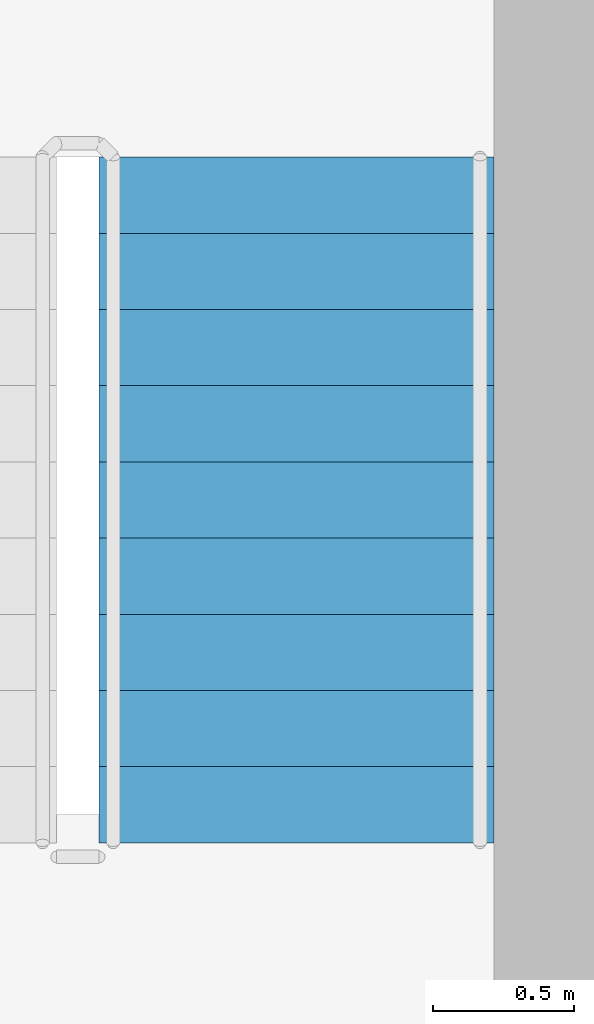
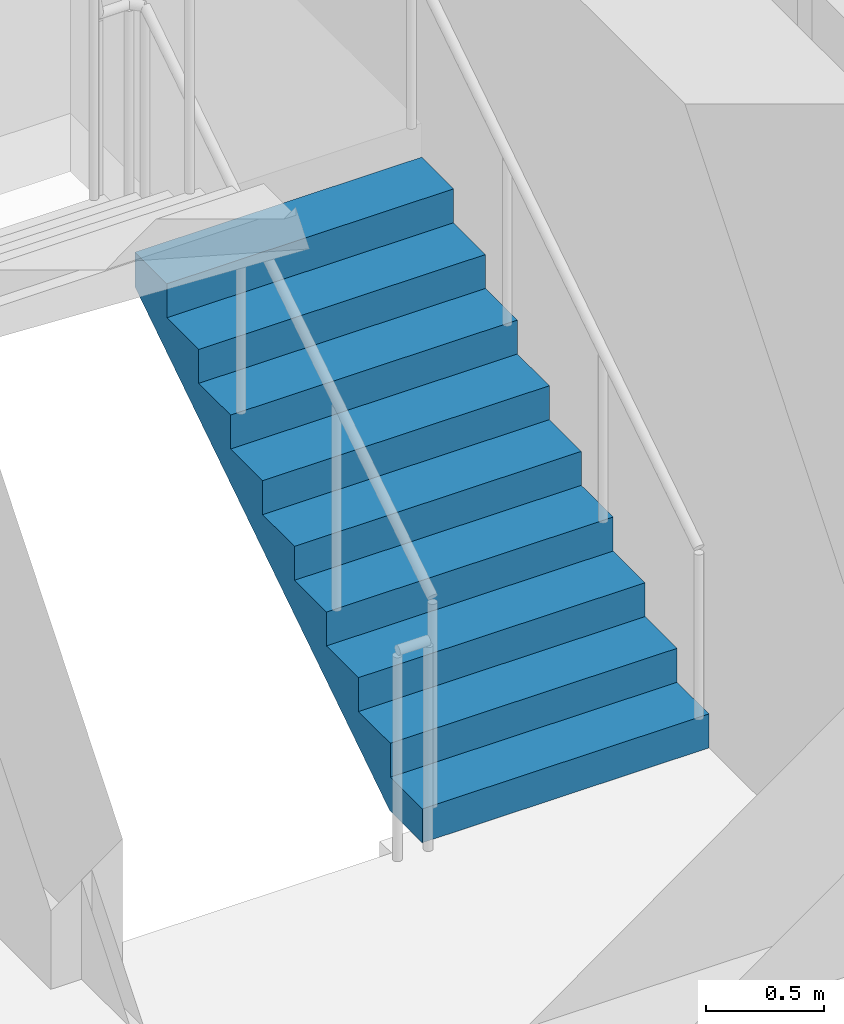
# One storey, part 13 of 20: 1 stair flight, 1 element without a shape of its own.
"""IFC4 building model written with IfcOpenShell, lengths in metres."""

from ifc_helpers import new_model, si_unit, direction, frame, origin, place, context, subcontext, project, spatial, polyline, outline, extrude, material, layer, layer_set, type_object, element, aggregate, save


model = new_model("IFC4")

# Units and contexts
model_context = context("Model", 3, precision=1e-05, world=origin(), true_north=direction((0.0, 1.0)))
body_context = subcontext(model_context, "Body", "Model", "MODEL_VIEW")
ifc_project = project(units=[si_unit("LENGTHUNIT", "METRE"), si_unit("AREAUNIT", "SQUARE_METRE"), si_unit("VOLUMEUNIT", "CUBIC_METRE"), si_unit("PLANEANGLEUNIT", "RADIAN"), si_unit("MASSUNIT", "GRAM", prefix="KILO")], contexts=[model_context])

# Site, building, storey
site_placement = place(None, origin())
site = spatial("IfcSite", under=ifc_project, at=site_placement, CompositionType="ELEMENT")
building_placement = place(site_placement, origin())
building = spatial("IfcBuilding", under=site, at=building_placement, Name="Saffron Iwan Residences", CompositionType="ELEMENT")
storey_placement = place(building_placement, frame((0.0, 0.0, 181.5)))
storey = spatial("IfcBuildingStorey", under=building, at=storey_placement, Name="L48", CompositionType="ELEMENT", Elevation=181.5)

# Stair, stair flight
ifc_material = material(Name="Concrete C50/60", Category="concrete")
stair_type = type_object("IfcStairType", Name="Stair ST-CORE", PredefinedType="HALF_TURN_STAIR", material=ifc_material)
stair_placement = place(storey_placement, origin())
stair = element("IfcStair", 1, at=stair_placement, inside=storey, type_object=stair_type, Name="L48 Exit Stair ST-E", PredefinedType="HALF_TURN_STAIR")
ifc_layer = layer(ifc_material, 0.14990234375)
ifc_layer_set = layer_set([ifc_layer], Name="Concrete C50/60")
stair_flight_type = type_object("IfcStairFlightType", Name="Stair flight SFL-RC", PredefinedType="STRAIGHT", material=ifc_layer_set)
stair_flight_placement = place(storey_placement, frame((70.39990234375, 67.85009765625, 0.0), z_axis=(0.0, 0.0, 1.0), x_axis=(0.0, 1.0, 0.0)))
stair_flight = element("IfcStairFlight", 2, at=stair_flight_placement, type_object=stair_flight_type, Name="ST-E flight 1", NumberOfRisers=10, NumberOfTreads=9, PredefinedType="STRAIGHT", RiserHeight=0.175, TreadLength=0.27, context=body_context, shape_type="SweptSolid", body=[
    extrude(outline(polyline([(0.0, 0.0), (0.0, 0.175048828125), (0.27001953125, 0.175048828125), (0.27001953125, 0.35009765625), (0.5400390625, 0.35009765625), (0.5400390625, 0.52490234375), (0.81005859375, 0.52490234375), (0.81005859375, 0.699951171875), (1.080078125, 0.699951171875), (1.080078125, 0.875), (1.35009765625, 0.875), (1.35009765625, 1.050048828125), (1.6201171875, 1.050048828125), (1.6201171875, 1.22509765625), (1.889892578125, 1.22509765625), (1.889892578125, 1.39990234375), (2.159912109375, 1.39990234375), (2.159912109375, 1.574951171875), (2.429931640625, 1.574951171875), (2.429931640625, 1.75), (2.429931640625, 1.396484375), (0.275634765625, 0.0), (0.0, 0.0)])), frame((0.0, 0.699951171875, 0.0), z_axis=(0.0, -1.0, 0.0), x_axis=(1.0, 0.0, 0.0)), (0.0, 0.0, 1.0), 1.39990234375),
])
aggregate(stair, [stair_flight])

save(model, "model.ifc")
